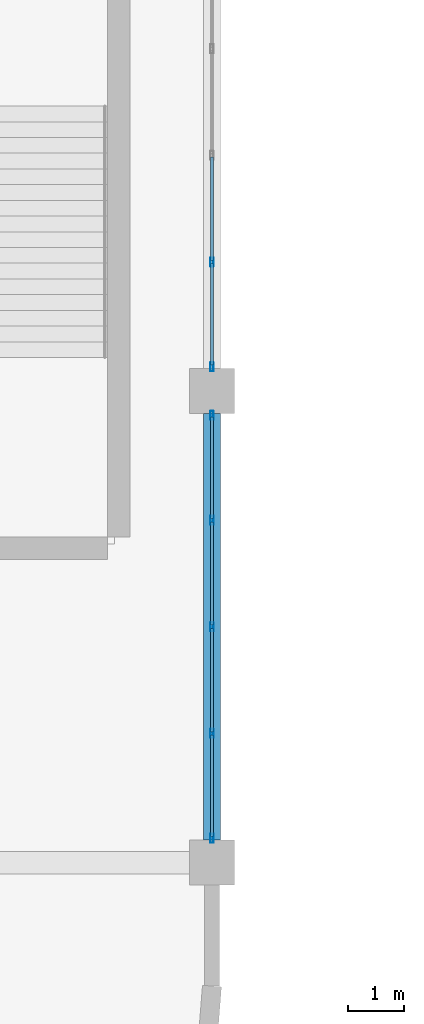
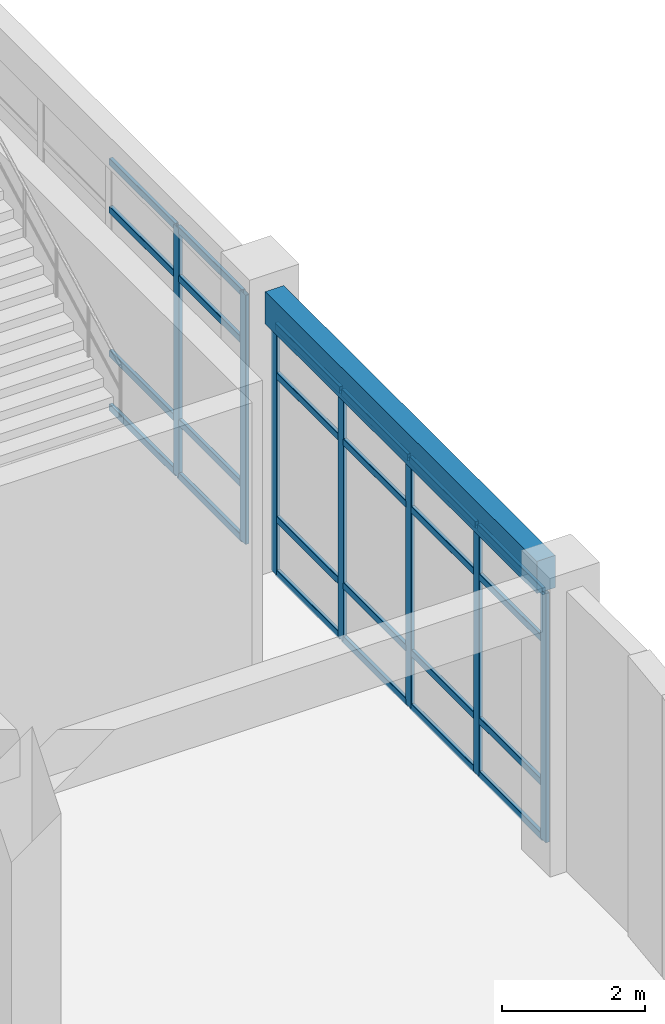
# One storey, part 30 of 96: 31 members, 1 beam, 2 elements without a shape of their own.
"""IFC4 building model written with IfcOpenShell, lengths in metres."""

from ifc_helpers import new_model, si_unit, derived_unit, direction, frame, origin, origin_2d, place, context, subcontext, project, spatial, rectangle, hollow_rectangle, extrude, material, layer, layer_set, material_profile, profile_set, type_object, element, aggregate, save


model = new_model("IFC4")

# Units and contexts
model_context = context("Model", 3, precision=1e-05, world=origin(), true_north=direction((0.0, 1.0)))
body_context = subcontext(model_context, "Body", "Model", "MODEL_VIEW")
ifc_project = project(units=[si_unit("LENGTHUNIT", "METRE"), si_unit("AREAUNIT", "SQUARE_METRE"), si_unit("VOLUMEUNIT", "CUBIC_METRE"), si_unit("PLANEANGLEUNIT", "RADIAN"), si_unit("MASSUNIT", "GRAM", prefix="KILO"), derived_unit("THERMALTRANSMITTANCEUNIT", [(si_unit("MASSUNIT", "GRAM", prefix="KILO"), 1), (si_unit("TIMEUNIT", "SECOND"), -3), (si_unit("THERMODYNAMICTEMPERATUREUNIT", "KELVIN"), -1)])], contexts=[model_context])

# Site, building, storey
site_placement = place(None, origin())
site = spatial("IfcSite", under=ifc_project, at=site_placement, CompositionType="ELEMENT")
building_placement = place(site_placement, origin())
building = spatial("IfcBuilding", under=site, at=building_placement, Name="Qinzheling Arcade Emporium", CompositionType="ELEMENT")
storey_placement = place(building_placement, frame((0.0, 0.0, 21.60009765625)))
storey = spatial("IfcBuildingStorey", under=building, at=storey_placement, Name="L05", CompositionType="ELEMENT", Elevation=21.60009765625)

# Curtain wall, members
ifc_material_1 = material(Name="Anodised aluminium and solar-control double glazing", Category="aluminium")
ifc_layer = layer(ifc_material_1, 0.159912109375, Name="Anodised aluminium and solar-control double glazing", Category="aluminium")
ifc_layer_set = layer_set([ifc_layer], Name="Anodised aluminium and solar-control double glazing")
curtain_wall_type = type_object("IfcCurtainWallType", Name="Arcade Portal Glazed Curtain Wall", PredefinedType="NOTDEFINED", material=ifc_layer_set)
curtain_wall_1_placement = place(storey_placement, origin())
curtain_wall_1 = element("IfcCurtainWall", 1, at=curtain_wall_1_placement, inside=storey, type_object=curtain_wall_type, Name="Curtain Wall CW-L05-333", PredefinedType="NOTDEFINED")
ifc_material_2 = material(Name="Anodised aluminium 6063-T6", Category="aluminium")
ifc_material_profile_1 = material_profile(ifc_material_2, hollow_rectangle(XDim=0.06005859375, YDim=0.159912109375, WallThickness=0.00390625, InnerFilletRadius=0.00390625, OuterFilletRadius=0.008056640625, at=origin_2d()), Name="RHS 160x60x4", Category="aluminium")
ifc_profile_set_1 = profile_set([ifc_material_profile_1], Name="Anodised aluminium 6063-T6")
member_type_1 = type_object("IfcMemberType", Name="Curtain Wall Mullion RHS160x60", PredefinedType="MULLION", material=ifc_profile_set_1)
member_1_placement = place(storey_placement, frame((69.60009765625, 27.5009765625, 0.0), z_axis=(0.0, 0.0, 1.0), x_axis=(1.0, 0.0, 0.0)))
member_1 = element("IfcMember", 2, at=member_1_placement, type_object=member_type_1, Name="CW05 mullion 4", PredefinedType="MULLION", context=body_context, shape_type="SweptSolid", body=[
    extrude(hollow_rectangle(XDim=0.06005859375, YDim=0.159912109375, WallThickness=0.00390625, InnerFilletRadius=0.00390625, OuterFilletRadius=0.008056640625, at=origin_2d()), origin(), (0.0, 0.0, 1.0), 4.2548828125),
])
member_2_placement = place(storey_placement, frame((69.60009765625, 25.632080078125, 0.0), z_axis=(0.0, 0.0, 1.0), x_axis=(1.0, 0.0, 0.0)))
member_2 = element("IfcMember", 3, at=member_2_placement, type_object=member_type_1, Name="CW05 mullion 5", PredefinedType="MULLION", context=body_context, shape_type="SweptSolid", body=[
    extrude(hollow_rectangle(XDim=0.06005859375, YDim=0.159912109375, WallThickness=0.00390625, InnerFilletRadius=0.00390625, OuterFilletRadius=0.008056640625, at=origin_2d()), origin(), (0.0, 0.0, 1.0), 4.2548828125),
])

curtain_wall_2_placement = place(storey_placement, origin())
curtain_wall_2 = element("IfcCurtainWall", 4, at=curtain_wall_2_placement, inside=storey, type_object=curtain_wall_type, Name="Curtain Wall CW-L05-334", PredefinedType="NOTDEFINED")
member_3_placement = place(storey_placement, frame((69.60009765625, 24.76806640625, 0.0), z_axis=(0.0, 0.0, 1.0), x_axis=(1.0, 0.0, 0.0)))
member_3 = element("IfcMember", 5, at=member_3_placement, type_object=member_type_1, Name="CW05 mullion 1", PredefinedType="MULLION", context=body_context, shape_type="SweptSolid", body=[
    extrude(hollow_rectangle(XDim=0.06005859375, YDim=0.159912109375, WallThickness=0.00390625, InnerFilletRadius=0.00390625, OuterFilletRadius=0.008056640625, at=origin_2d()), origin(), (0.0, 0.0, 1.0), 4.2548828125),
])
member_4_placement = place(storey_placement, frame((69.60009765625, 22.89892578125, 0.0), z_axis=(0.0, 0.0, 1.0), x_axis=(1.0, 0.0, 0.0)))
member_4 = element("IfcMember", 6, at=member_4_placement, type_object=member_type_1, Name="CW05 mullion 2", PredefinedType="MULLION", context=body_context, shape_type="SweptSolid", body=[
    extrude(hollow_rectangle(XDim=0.06005859375, YDim=0.159912109375, WallThickness=0.00390625, InnerFilletRadius=0.00390625, OuterFilletRadius=0.008056640625, at=origin_2d()), origin(), (0.0, 0.0, 1.0), 4.2548828125),
])
member_5_placement = place(storey_placement, frame((69.60009765625, 21.0, 0.0), z_axis=(0.0, 0.0, 1.0), x_axis=(1.0, 0.0, 0.0)))
member_5 = element("IfcMember", 7, at=member_5_placement, type_object=member_type_1, Name="CW05 mullion 3", PredefinedType="MULLION", context=body_context, shape_type="SweptSolid", body=[
    extrude(hollow_rectangle(XDim=0.06005859375, YDim=0.159912109375, WallThickness=0.00390625, InnerFilletRadius=0.00390625, OuterFilletRadius=0.008056640625, at=origin_2d()), origin(), (0.0, 0.0, 1.0), 4.2548828125),
])
member_6_placement = place(storey_placement, frame((69.60009765625, 19.10107421875, 0.0), z_axis=(0.0, 0.0, 1.0), x_axis=(1.0, 0.0, 0.0)))
member_6 = element("IfcMember", 8, at=member_6_placement, type_object=member_type_1, Name="CW05 mullion 4", PredefinedType="MULLION", context=body_context, shape_type="SweptSolid", body=[
    extrude(hollow_rectangle(XDim=0.06005859375, YDim=0.159912109375, WallThickness=0.00390625, InnerFilletRadius=0.00390625, OuterFilletRadius=0.008056640625, at=origin_2d()), origin(), (0.0, 0.0, 1.0), 4.2548828125),
])
member_7_placement = place(storey_placement, frame((69.60009765625, 17.23193359375, 0.0), z_axis=(0.0, 0.0, 1.0), x_axis=(1.0, 0.0, 0.0)))
member_7 = element("IfcMember", 9, at=member_7_placement, type_object=member_type_1, Name="CW05 mullion 5", PredefinedType="MULLION", context=body_context, shape_type="SweptSolid", body=[
    extrude(hollow_rectangle(XDim=0.06005859375, YDim=0.159912109375, WallThickness=0.00390625, InnerFilletRadius=0.00390625, OuterFilletRadius=0.008056640625, at=origin_2d()), origin(), (0.0, 0.0, 1.0), 4.2548828125),
])

# Member
ifc_material_profile_2 = material_profile(ifc_material_2, hollow_rectangle(XDim=0.06005859375, YDim=0.1201171875, WallThickness=0.00390625, InnerFilletRadius=0.00390625, OuterFilletRadius=0.008056640625, at=origin_2d()), Name="RHS 120x60x4", Category="aluminium")
ifc_profile_set_2 = profile_set([ifc_material_profile_2], Name="Anodised aluminium 6063-T6")
member_type_2 = type_object("IfcMemberType", Name="Curtain Wall Transom RHS120x60", PredefinedType="USERDEFINED", material=ifc_profile_set_2)
member_8_placement = place(storey_placement, frame((69.60009765625, 29.3701171875, 0.02978515625), z_axis=(0.0, -1.0, 0.0), x_axis=(1.0, 0.0, 0.0)))
member_8 = element("IfcMember", 10, at=member_8_placement, type_object=member_type_2, Name="CW05 transom 3.1", ObjectType="TRANSOM", PredefinedType="USERDEFINED", context=body_context, shape_type="SweptSolid", body=[
    extrude(hollow_rectangle(XDim=0.06005859375, YDim=0.1201171875, WallThickness=0.00390625, InnerFilletRadius=0.00390625, OuterFilletRadius=0.008056640625, at=origin_2d()), origin(), (0.0, 0.0, 1.0), 1.839111328125),
])

member_9_placement = place(storey_placement, frame((69.60009765625, 29.3701171875, 0.949951171875), z_axis=(0.0, -1.0, 0.0), x_axis=(1.0, 0.0, 0.0)))
member_9 = element("IfcMember", 11, at=member_9_placement, type_object=member_type_2, Name="CW05 transom 3.2", ObjectType="TRANSOM", PredefinedType="USERDEFINED", context=body_context, shape_type="SweptSolid", body=[
    extrude(hollow_rectangle(XDim=0.06005859375, YDim=0.1201171875, WallThickness=0.00390625, InnerFilletRadius=0.00390625, OuterFilletRadius=0.008056640625, at=origin_2d()), origin(), (0.0, 0.0, 1.0), 1.839111328125),
])

member_10_placement = place(storey_placement, frame((69.60009765625, 29.3701171875, 3.40478515625), z_axis=(0.0, -1.0, 0.0), x_axis=(1.0, 0.0, 0.0)))
member_10 = element("IfcMember", 12, at=member_10_placement, type_object=member_type_2, Name="CW05 transom 3.3", ObjectType="TRANSOM", PredefinedType="USERDEFINED", context=body_context, shape_type="SweptSolid", body=[
    extrude(hollow_rectangle(XDim=0.06005859375, YDim=0.1201171875, WallThickness=0.00390625, InnerFilletRadius=0.00390625, OuterFilletRadius=0.008056640625, at=origin_2d()), origin(), (0.0, 0.0, 1.0), 1.839111328125),
])

member_11_placement = place(storey_placement, frame((69.60009765625, 29.3701171875, 4.224853515625), z_axis=(0.0, -1.0, 0.0), x_axis=(1.0, 0.0, 0.0)))
member_11 = element("IfcMember", 13, at=member_11_placement, type_object=member_type_2, Name="CW05 transom 3.4", ObjectType="TRANSOM", PredefinedType="USERDEFINED", context=body_context, shape_type="SweptSolid", body=[
    extrude(hollow_rectangle(XDim=0.06005859375, YDim=0.1201171875, WallThickness=0.00390625, InnerFilletRadius=0.00390625, OuterFilletRadius=0.008056640625, at=origin_2d()), origin(), (0.0, 0.0, 1.0), 1.839111328125),
])

member_12_placement = place(storey_placement, frame((69.60009765625, 27.470947265625, 0.02978515625), z_axis=(0.0, -1.0, 0.0), x_axis=(1.0, 0.0, 0.0)))
member_12 = element("IfcMember", 14, at=member_12_placement, type_object=member_type_2, Name="CW05 transom 4.1", ObjectType="TRANSOM", PredefinedType="USERDEFINED", context=body_context, shape_type="SweptSolid", body=[
    extrude(hollow_rectangle(XDim=0.06005859375, YDim=0.1201171875, WallThickness=0.00390625, InnerFilletRadius=0.00390625, OuterFilletRadius=0.008056640625, at=origin_2d()), origin(), (0.0, 0.0, 1.0), 1.808837890625),
])

member_13_placement = place(storey_placement, frame((69.60009765625, 27.470947265625, 0.949951171875), z_axis=(0.0, -1.0, 0.0), x_axis=(1.0, 0.0, 0.0)))
member_13 = element("IfcMember", 15, at=member_13_placement, type_object=member_type_2, Name="CW05 transom 4.2", ObjectType="TRANSOM", PredefinedType="USERDEFINED", context=body_context, shape_type="SweptSolid", body=[
    extrude(hollow_rectangle(XDim=0.06005859375, YDim=0.1201171875, WallThickness=0.00390625, InnerFilletRadius=0.00390625, OuterFilletRadius=0.008056640625, at=origin_2d()), origin(), (0.0, 0.0, 1.0), 1.808837890625),
])

member_14_placement = place(storey_placement, frame((69.60009765625, 27.470947265625, 3.40478515625), z_axis=(0.0, -1.0, 0.0), x_axis=(1.0, 0.0, 0.0)))
member_14 = element("IfcMember", 16, at=member_14_placement, type_object=member_type_2, Name="CW05 transom 4.3", ObjectType="TRANSOM", PredefinedType="USERDEFINED", context=body_context, shape_type="SweptSolid", body=[
    extrude(hollow_rectangle(XDim=0.06005859375, YDim=0.1201171875, WallThickness=0.00390625, InnerFilletRadius=0.00390625, OuterFilletRadius=0.008056640625, at=origin_2d()), origin(), (0.0, 0.0, 1.0), 1.808837890625),
])

member_15_placement = place(storey_placement, frame((69.60009765625, 27.470947265625, 4.224853515625), z_axis=(0.0, -1.0, 0.0), x_axis=(1.0, 0.0, 0.0)))
member_15 = element("IfcMember", 17, at=member_15_placement, type_object=member_type_2, Name="CW05 transom 4.4", ObjectType="TRANSOM", PredefinedType="USERDEFINED", context=body_context, shape_type="SweptSolid", body=[
    extrude(hollow_rectangle(XDim=0.06005859375, YDim=0.1201171875, WallThickness=0.00390625, InnerFilletRadius=0.00390625, OuterFilletRadius=0.008056640625, at=origin_2d()), origin(), (0.0, 0.0, 1.0), 1.808837890625),
])

aggregate(curtain_wall_1, [member_1, member_2, member_8, member_9, member_10, member_11, member_12, member_13, member_14, member_15])

member_16_placement = place(storey_placement, frame((69.60009765625, 24.738037109375, 0.02978515625), z_axis=(0.0, -1.0, 0.0), x_axis=(1.0, 0.0, 0.0)))
member_16 = element("IfcMember", 18, at=member_16_placement, type_object=member_type_2, Name="CW05 transom 1.1", ObjectType="TRANSOM", PredefinedType="USERDEFINED", context=body_context, shape_type="SweptSolid", body=[
    extrude(hollow_rectangle(XDim=0.06005859375, YDim=0.1201171875, WallThickness=0.00390625, InnerFilletRadius=0.00390625, OuterFilletRadius=0.008056640625, at=origin_2d()), origin(), (0.0, 0.0, 1.0), 1.80908203125),
])

member_17_placement = place(storey_placement, frame((69.60009765625, 24.738037109375, 0.949951171875), z_axis=(0.0, -1.0, 0.0), x_axis=(1.0, 0.0, 0.0)))
member_17 = element("IfcMember", 19, at=member_17_placement, type_object=member_type_2, Name="CW05 transom 1.2", ObjectType="TRANSOM", PredefinedType="USERDEFINED", context=body_context, shape_type="SweptSolid", body=[
    extrude(hollow_rectangle(XDim=0.06005859375, YDim=0.1201171875, WallThickness=0.00390625, InnerFilletRadius=0.00390625, OuterFilletRadius=0.008056640625, at=origin_2d()), origin(), (0.0, 0.0, 1.0), 1.80908203125),
])

member_18_placement = place(storey_placement, frame((69.60009765625, 24.738037109375, 3.40478515625), z_axis=(0.0, -1.0, 0.0), x_axis=(1.0, 0.0, 0.0)))
member_18 = element("IfcMember", 20, at=member_18_placement, type_object=member_type_2, Name="CW05 transom 1.3", ObjectType="TRANSOM", PredefinedType="USERDEFINED", context=body_context, shape_type="SweptSolid", body=[
    extrude(hollow_rectangle(XDim=0.06005859375, YDim=0.1201171875, WallThickness=0.00390625, InnerFilletRadius=0.00390625, OuterFilletRadius=0.008056640625, at=origin_2d()), origin(), (0.0, 0.0, 1.0), 1.80908203125),
])

member_19_placement = place(storey_placement, frame((69.60009765625, 24.738037109375, 4.224853515625), z_axis=(0.0, -1.0, 0.0), x_axis=(1.0, 0.0, 0.0)))
member_19 = element("IfcMember", 21, at=member_19_placement, type_object=member_type_2, Name="CW05 transom 1.4", ObjectType="TRANSOM", PredefinedType="USERDEFINED", context=body_context, shape_type="SweptSolid", body=[
    extrude(hollow_rectangle(XDim=0.06005859375, YDim=0.1201171875, WallThickness=0.00390625, InnerFilletRadius=0.00390625, OuterFilletRadius=0.008056640625, at=origin_2d()), origin(), (0.0, 0.0, 1.0), 1.80908203125),
])

member_20_placement = place(storey_placement, frame((69.60009765625, 22.868896484375, 0.02978515625), z_axis=(0.0, -1.0, 0.0), x_axis=(1.0, 0.0, 0.0)))
member_20 = element("IfcMember", 22, at=member_20_placement, type_object=member_type_2, Name="CW05 transom 2.1", ObjectType="TRANSOM", PredefinedType="USERDEFINED", context=body_context, shape_type="SweptSolid", body=[
    extrude(hollow_rectangle(XDim=0.06005859375, YDim=0.1201171875, WallThickness=0.00390625, InnerFilletRadius=0.00390625, OuterFilletRadius=0.008056640625, at=origin_2d()), origin(), (0.0, 0.0, 1.0), 1.8388671875),
])

member_21_placement = place(storey_placement, frame((69.60009765625, 22.868896484375, 0.949951171875), z_axis=(0.0, -1.0, 0.0), x_axis=(1.0, 0.0, 0.0)))
member_21 = element("IfcMember", 23, at=member_21_placement, type_object=member_type_2, Name="CW05 transom 2.2", ObjectType="TRANSOM", PredefinedType="USERDEFINED", context=body_context, shape_type="SweptSolid", body=[
    extrude(hollow_rectangle(XDim=0.06005859375, YDim=0.1201171875, WallThickness=0.00390625, InnerFilletRadius=0.00390625, OuterFilletRadius=0.008056640625, at=origin_2d()), origin(), (0.0, 0.0, 1.0), 1.8388671875),
])

member_22_placement = place(storey_placement, frame((69.60009765625, 22.868896484375, 3.40478515625), z_axis=(0.0, -1.0, 0.0), x_axis=(1.0, 0.0, 0.0)))
member_22 = element("IfcMember", 24, at=member_22_placement, type_object=member_type_2, Name="CW05 transom 2.3", ObjectType="TRANSOM", PredefinedType="USERDEFINED", context=body_context, shape_type="SweptSolid", body=[
    extrude(hollow_rectangle(XDim=0.06005859375, YDim=0.1201171875, WallThickness=0.00390625, InnerFilletRadius=0.00390625, OuterFilletRadius=0.008056640625, at=origin_2d()), origin(), (0.0, 0.0, 1.0), 1.8388671875),
])

member_23_placement = place(storey_placement, frame((69.60009765625, 22.868896484375, 4.224853515625), z_axis=(0.0, -1.0, 0.0), x_axis=(1.0, 0.0, 0.0)))
member_23 = element("IfcMember", 25, at=member_23_placement, type_object=member_type_2, Name="CW05 transom 2.4", ObjectType="TRANSOM", PredefinedType="USERDEFINED", context=body_context, shape_type="SweptSolid", body=[
    extrude(hollow_rectangle(XDim=0.06005859375, YDim=0.1201171875, WallThickness=0.00390625, InnerFilletRadius=0.00390625, OuterFilletRadius=0.008056640625, at=origin_2d()), origin(), (0.0, 0.0, 1.0), 1.8388671875),
])

member_24_placement = place(storey_placement, frame((69.60009765625, 20.969970703125, 0.02978515625), z_axis=(0.0, -1.0, 0.0), x_axis=(1.0, 0.0, 0.0)))
member_24 = element("IfcMember", 26, at=member_24_placement, type_object=member_type_2, Name="CW05 transom 3.1", ObjectType="TRANSOM", PredefinedType="USERDEFINED", context=body_context, shape_type="SweptSolid", body=[
    extrude(hollow_rectangle(XDim=0.06005859375, YDim=0.1201171875, WallThickness=0.00390625, InnerFilletRadius=0.00390625, OuterFilletRadius=0.008056640625, at=origin_2d()), origin(), (0.0, 0.0, 1.0), 1.8388671875),
])

member_25_placement = place(storey_placement, frame((69.60009765625, 20.969970703125, 0.949951171875), z_axis=(0.0, -1.0, 0.0), x_axis=(1.0, 0.0, 0.0)))
member_25 = element("IfcMember", 27, at=member_25_placement, type_object=member_type_2, Name="CW05 transom 3.2", ObjectType="TRANSOM", PredefinedType="USERDEFINED", context=body_context, shape_type="SweptSolid", body=[
    extrude(hollow_rectangle(XDim=0.06005859375, YDim=0.1201171875, WallThickness=0.00390625, InnerFilletRadius=0.00390625, OuterFilletRadius=0.008056640625, at=origin_2d()), origin(), (0.0, 0.0, 1.0), 1.8388671875),
])

member_26_placement = place(storey_placement, frame((69.60009765625, 20.969970703125, 3.40478515625), z_axis=(0.0, -1.0, 0.0), x_axis=(1.0, 0.0, 0.0)))
member_26 = element("IfcMember", 28, at=member_26_placement, type_object=member_type_2, Name="CW05 transom 3.3", ObjectType="TRANSOM", PredefinedType="USERDEFINED", context=body_context, shape_type="SweptSolid", body=[
    extrude(hollow_rectangle(XDim=0.06005859375, YDim=0.1201171875, WallThickness=0.00390625, InnerFilletRadius=0.00390625, OuterFilletRadius=0.008056640625, at=origin_2d()), origin(), (0.0, 0.0, 1.0), 1.8388671875),
])

member_27_placement = place(storey_placement, frame((69.60009765625, 20.969970703125, 4.224853515625), z_axis=(0.0, -1.0, 0.0), x_axis=(1.0, 0.0, 0.0)))
member_27 = element("IfcMember", 29, at=member_27_placement, type_object=member_type_2, Name="CW05 transom 3.4", ObjectType="TRANSOM", PredefinedType="USERDEFINED", context=body_context, shape_type="SweptSolid", body=[
    extrude(hollow_rectangle(XDim=0.06005859375, YDim=0.1201171875, WallThickness=0.00390625, InnerFilletRadius=0.00390625, OuterFilletRadius=0.008056640625, at=origin_2d()), origin(), (0.0, 0.0, 1.0), 1.8388671875),
])

member_28_placement = place(storey_placement, frame((69.60009765625, 19.071044921875, 0.02978515625), z_axis=(0.0, -1.0, 0.0), x_axis=(1.0, 0.0, 0.0)))
member_28 = element("IfcMember", 30, at=member_28_placement, type_object=member_type_2, Name="CW05 transom 4.1", ObjectType="TRANSOM", PredefinedType="USERDEFINED", context=body_context, shape_type="SweptSolid", body=[
    extrude(hollow_rectangle(XDim=0.06005859375, YDim=0.1201171875, WallThickness=0.00390625, InnerFilletRadius=0.00390625, OuterFilletRadius=0.008056640625, at=origin_2d()), origin(), (0.0, 0.0, 1.0), 1.80908203125),
])

member_29_placement = place(storey_placement, frame((69.60009765625, 19.071044921875, 0.949951171875), z_axis=(0.0, -1.0, 0.0), x_axis=(1.0, 0.0, 0.0)))
member_29 = element("IfcMember", 31, at=member_29_placement, type_object=member_type_2, Name="CW05 transom 4.2", ObjectType="TRANSOM", PredefinedType="USERDEFINED", context=body_context, shape_type="SweptSolid", body=[
    extrude(hollow_rectangle(XDim=0.06005859375, YDim=0.1201171875, WallThickness=0.00390625, InnerFilletRadius=0.00390625, OuterFilletRadius=0.008056640625, at=origin_2d()), origin(), (0.0, 0.0, 1.0), 1.80908203125),
])

member_30_placement = place(storey_placement, frame((69.60009765625, 19.071044921875, 3.40478515625), z_axis=(0.0, -1.0, 0.0), x_axis=(1.0, 0.0, 0.0)))
member_30 = element("IfcMember", 32, at=member_30_placement, type_object=member_type_2, Name="CW05 transom 4.3", ObjectType="TRANSOM", PredefinedType="USERDEFINED", context=body_context, shape_type="SweptSolid", body=[
    extrude(hollow_rectangle(XDim=0.06005859375, YDim=0.1201171875, WallThickness=0.00390625, InnerFilletRadius=0.00390625, OuterFilletRadius=0.008056640625, at=origin_2d()), origin(), (0.0, 0.0, 1.0), 1.80908203125),
])

member_31_placement = place(storey_placement, frame((69.60009765625, 19.071044921875, 4.224853515625), z_axis=(0.0, -1.0, 0.0), x_axis=(1.0, 0.0, 0.0)))
member_31 = element("IfcMember", 33, at=member_31_placement, type_object=member_type_2, Name="CW05 transom 4.4", ObjectType="TRANSOM", PredefinedType="USERDEFINED", context=body_context, shape_type="SweptSolid", body=[
    extrude(hollow_rectangle(XDim=0.06005859375, YDim=0.1201171875, WallThickness=0.00390625, InnerFilletRadius=0.00390625, OuterFilletRadius=0.008056640625, at=origin_2d()), origin(), (0.0, 0.0, 1.0), 1.80908203125),
])

aggregate(curtain_wall_2, [member_3, member_4, member_5, member_6, member_7, member_16, member_17, member_18, member_19, member_20, member_21, member_22, member_23, member_24, member_25, member_26, member_27, member_28, member_29, member_30, member_31])

# Beam
ifc_material_3 = material(Name="Concrete C40", Category="concrete")
ifc_material_profile_3 = material_profile(ifc_material_3, rectangle(XDim=0.300048828125, YDim=0.550048828125, at=origin_2d()), Name="RC 300x550", Category="concrete")
ifc_profile_set_3 = profile_set([ifc_material_profile_3], Name="Concrete C40")
beam_type = type_object("IfcBeamType", Name="RC Terrace Spandrel Beam 300x550 C40", PredefinedType="SPANDREL", material=ifc_profile_set_3)
beam_placement = place(storey_placement, frame((69.60009765625, 17.199951171875, 4.544921875), z_axis=(0.0, 1.0, 0.0), x_axis=(-1.0, 0.0, 0.0)))
element("IfcBeam", 34, at=beam_placement, inside=storey, type_object=beam_type, Name="Beam BM-L05-Y-9-C", PredefinedType="SPANDREL", context=body_context, shape_type="SweptSolid", body=[
    extrude(rectangle(XDim=0.300048828125, YDim=0.550048828125, at=origin_2d()), origin(), (0.0, 0.0, 1.0), 7.60009765625),
])

save(model, "model.ifc")
